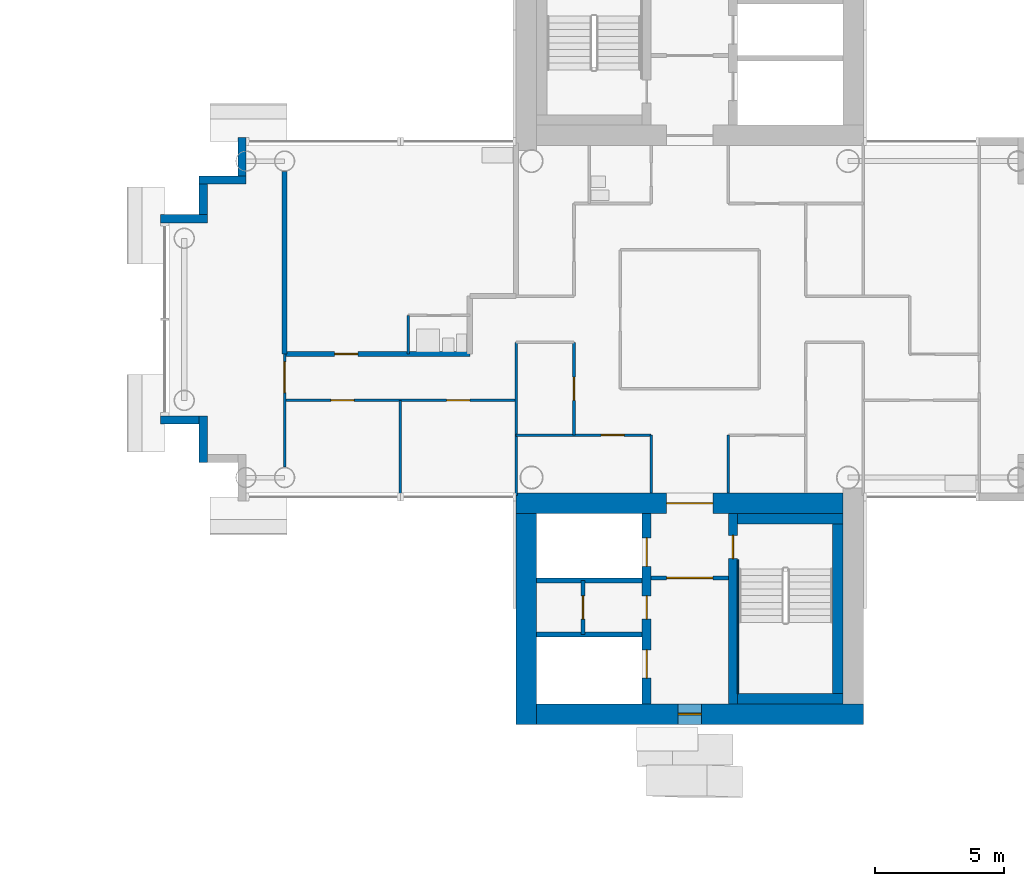
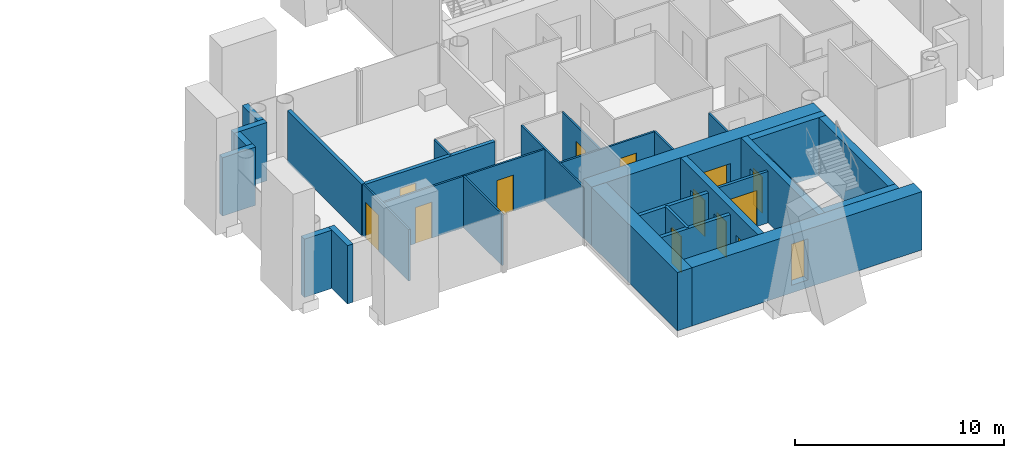
# One storey, part 9 of 18: 30 walls, 13 doors, 1 window, 14 openings.
"""IFC4 building model written with IfcOpenShell, lengths in metres."""

from ifc_helpers import new_model, si_unit, direction, frame, frame_2d, origin, place, context, subcontext, project, spatial, rectangle, extrude, material, layer, layer_set, type_object, element, fill, save


model = new_model("IFC4")

# Units and contexts
model_context = context("Model", 3, precision=1e-05, world=origin(), true_north=direction((0.0, 1.0)))
body_context = subcontext(model_context, "Body", "Model", "MODEL_VIEW")
ifc_project = project(units=[si_unit("LENGTHUNIT", "METRE"), si_unit("AREAUNIT", "SQUARE_METRE"), si_unit("VOLUMEUNIT", "CUBIC_METRE"), si_unit("PLANEANGLEUNIT", "RADIAN"), si_unit("MASSUNIT", "GRAM", prefix="KILO")], contexts=[model_context])

# Site, building, storey
site_placement = place(None, origin())
site = spatial("IfcSite", under=ifc_project, at=site_placement, CompositionType="ELEMENT")
building_placement = place(site_placement, origin())
building = spatial("IfcBuilding", under=site, at=building_placement, Name="Ipe Terrace Towers", CompositionType="ELEMENT")
storey_placement = place(building_placement, frame((0.0, 0.0, 150.699951171875)))
storey = spatial("IfcBuildingStorey", under=building, at=storey_placement, Name="L41", CompositionType="ELEMENT", Elevation=150.699951171875)

# Walls
ifc_material_1 = material(Name="Concrete C40/50 with buff precast cladding", Category="concrete")
ifc_layer_1 = layer(ifc_material_1, 0.320068359375)
ifc_layer_set_1 = layer_set([ifc_layer_1], Name="BUFF CLADDING WALL 320")
wall_type_1 = type_object("IfcWallType", Name="BUFF CLADDING WALL 320", PredefinedType="STANDARD", material=ifc_layer_set_1)
wall_1_placement = place(storey_placement, frame((18.590087890625, 7.070068359375, -0.300048828125), z_axis=(0.0, 0.0, 1.0), x_axis=(0.0, -1.0, 0.0)))
element("IfcWall", 1, at=wall_1_placement, inside=storey, type_object=wall_type_1, Name="T2-W-L41-30a wall", PredefinedType="STANDARD", context=body_context, shape_type="SweptSolid", body=[
    extrude(rectangle(XDim=1.5, YDim=0.320068359375, at=frame_2d((0.75, 0.0))), origin(), (0.0, 0.0, 1.0), 3.400146484375),
])
wall_2_placement = place(storey_placement, frame((18.75, 5.409912109375, -0.300048828125), z_axis=(0.0, 0.0, 1.0), x_axis=(-1.0, 0.0, 0.0)))
element("IfcWall", 2, at=wall_2_placement, inside=storey, type_object=wall_type_1, Name="T2-W-L41-31a wall", PredefinedType="STANDARD", context=body_context, shape_type="SweptSolid", body=[
    extrude(rectangle(XDim=1.820068359375, YDim=0.320068359375, at=frame_2d((0.91015625, 0.0))), origin(), (0.0, 0.0, 1.0), 3.400146484375),
])
wall_3_placement = place(storey_placement, frame((17.090087890625, 5.25, -0.300048828125), z_axis=(0.0, 0.0, 1.0), x_axis=(0.0, -1.0, 0.0)))
element("IfcWall", 3, at=wall_3_placement, inside=storey, type_object=wall_type_1, Name="T2-W-L41-32a wall", PredefinedType="STANDARD", context=body_context, shape_type="SweptSolid", body=[
    extrude(rectangle(XDim=1.179931640625, YDim=0.320068359375, at=frame_2d((0.58984375, 0.0))), origin(), (0.0, 0.0, 1.0), 3.400146484375),
])
wall_4_placement = place(storey_placement, frame((17.25, 3.909912109375, -0.300048828125), z_axis=(0.0, 0.0, 1.0), x_axis=(-1.0, 0.0, 0.0)))
element("IfcWall", 4, at=wall_4_placement, inside=storey, type_object=wall_type_1, Name="T2-W-L41-33a wall", PredefinedType="STANDARD", context=body_context, shape_type="SweptSolid", body=[
    extrude(rectangle(XDim=1.820068359375, YDim=0.320068359375, at=frame_2d((0.91015625, 0.0))), origin(), (0.0, 0.0, 1.0), 3.400146484375),
])
wall_5_placement = place(storey_placement, frame((15.429931640625, -3.909912109375, -0.300048828125), z_axis=(0.0, 0.0, 1.0), x_axis=(1.0, 0.0, 0.0)))
element("IfcWall", 5, at=wall_5_placement, inside=storey, type_object=wall_type_1, Name="T2-W-L41-35a wall", PredefinedType="STANDARD", context=body_context, shape_type="SweptSolid", body=[
    extrude(rectangle(XDim=1.5, YDim=0.320068359375, at=frame_2d((0.75, 0.0))), origin(), (0.0, 0.0, 1.0), 3.400146484375),
])
wall_6_placement = place(storey_placement, frame((17.090087890625, -3.75, -0.300048828125), z_axis=(0.0, 0.0, 1.0), x_axis=(0.0, -1.0, 0.0)))
element("IfcWall", 6, at=wall_6_placement, inside=storey, type_object=wall_type_1, Name="T2-W-L41-36a wall", PredefinedType="STANDARD", context=body_context, shape_type="SweptSolid", body=[
    extrude(rectangle(XDim=1.820068359375, YDim=0.320068359375, at=frame_2d((0.91015625, 0.0))), origin(), (0.0, 0.0, 1.0), 3.400146484375),
])

# Wall, opening, door
ifc_material_2 = material(Name="Gypsum board partition", Category="plasterboard")
ifc_layer_2 = layer(ifc_material_2, 0.10009765625)
ifc_layer_set_2 = layer_set([ifc_layer_2], Name="Gypsum board partition 100 mm")
wall_type_2 = type_object("IfcWallType", Name="Gypsum board partition 100 mm", PredefinedType="PARTITIONING", material=ifc_layer_set_2)
wall_7_placement = place(storey_placement, frame((34.5, -4.5, 0.0), z_axis=(0.0, 0.0, 1.0), x_axis=(-1.0, 0.0, 0.0)))
wall_7 = element("IfcWall", 7, at=wall_7_placement, inside=storey, type_object=wall_type_2, Name="Gypsum board partition T2 L41 W02", PredefinedType="PARTITIONING", context=body_context, shape_type="SweptSolid", body=[
    extrude(rectangle(XDim=5.25, YDim=0.10009765625, at=frame_2d((2.625, 0.0))), origin(), (0.0, 0.0, 1.0), 3.0),
])
opening_1_placement = place(wall_7_placement, frame((1.050048828125, 0.0, 0.0)))
opening_1 = element("IfcOpeningElement", 8, at=opening_1_placement, cuts=wall_7, Name="Opening T2-Z3B-05", PredefinedType="OPENING", context=body_context, shape_type="SweptSolid", body=[
    extrude(rectangle(XDim=0.89990234375, YDim=2.10009765625, at=frame_2d((0.449951171875, 1.050048828125))), frame((0.0, 0.06005859375, 0.0), z_axis=(0.0, -1.0, 0.0), x_axis=(1.0, 0.0, 0.0)), (0.0, 0.0, 1.0), 0.1201171875),
])
ifc_material_3 = material(Name="Timber door leaf", Category="wood")
door_type_1 = type_object("IfcDoorType", Name="Lounge door 900 x 2100", OperationType="NOTDEFINED", PredefinedType="DOOR", material=ifc_material_3)
door_1_placement = place(opening_1_placement, origin())
door_1 = element("IfcDoor", 9, at=door_1_placement, inside=storey, type_object=door_type_1, Name="Lounge door T2-Z3B-05", OperationType="SINGLE_SWING_RIGHT", OverallHeight=2.10009765625, OverallWidth=0.89990234375, PredefinedType="DOOR", context=body_context, shape_type="SweptSolid", body=[
    extrude(rectangle(XDim=0.89990234375, YDim=2.10009765625, at=frame_2d((0.449951171875, 1.050048828125))), frame((0.0, 0.02490234375, 0.0), z_axis=(0.0, -1.0, 0.0), x_axis=(1.0, 0.0, 0.0)), (0.0, 0.0, 1.0), 0.050048828125),
])
fill(opening_1, door_1)

# Wall, openings, doors
wall_8_placement = place(storey_placement, frame((29.25, -3.14990234375, 0.0), z_axis=(0.0, 0.0, 1.0), x_axis=(-1.0, 0.0, 0.0)))
wall_8 = element("IfcWall", 10, at=wall_8_placement, inside=storey, type_object=wall_type_2, Name="Gypsum board partition T2 L41 W04", PredefinedType="PARTITIONING", context=body_context, shape_type="SweptSolid", body=[
    extrude(rectangle(XDim=9.0, YDim=0.10009765625, at=frame_2d((4.5, 0.0))), origin(), (0.0, 0.0, 1.0), 3.0),
])
opening_2_placement = place(wall_8_placement, frame((1.800048828125, 0.0, 0.0)))
opening_2 = element("IfcOpeningElement", 11, at=opening_2_placement, cuts=wall_8, Name="Opening T2-Z3B-10", PredefinedType="OPENING", context=body_context, shape_type="SweptSolid", body=[
    extrude(rectangle(XDim=0.89990234375, YDim=2.10009765625, at=frame_2d((0.449951171875, 1.050048828125))), frame((0.0, 0.06005859375, 0.0), z_axis=(0.0, -1.0, 0.0), x_axis=(1.0, 0.0, 0.0)), (0.0, 0.0, 1.0), 0.1201171875),
])
opening_3_placement = place(wall_8_placement, frame((6.300048828125, 0.0, 0.0)))
opening_3 = element("IfcOpeningElement", 12, at=opening_3_placement, cuts=wall_8, Name="Opening T2-Z3B-11", PredefinedType="OPENING", context=body_context, shape_type="SweptSolid", body=[
    extrude(rectangle(XDim=0.89990234375, YDim=2.10009765625, at=frame_2d((0.449951171875, 1.050048828125))), frame((0.0, 0.06005859375, 0.0), z_axis=(0.0, -1.0, 0.0), x_axis=(1.0, 0.0, 0.0)), (0.0, 0.0, 1.0), 0.1201171875),
])
door_2_placement = place(opening_2_placement, origin())
door_2 = element("IfcDoor", 13, at=door_2_placement, inside=storey, type_object=door_type_1, Name="Lounge door T2-Z3B-10", OperationType="SINGLE_SWING_RIGHT", OverallHeight=2.10009765625, OverallWidth=0.89990234375, PredefinedType="DOOR", context=body_context, shape_type="SweptSolid", body=[
    extrude(rectangle(XDim=0.89990234375, YDim=2.10009765625, at=frame_2d((0.449951171875, 1.050048828125))), frame((0.0, 0.02490234375, 0.0), z_axis=(0.0, -1.0, 0.0), x_axis=(1.0, 0.0, 0.0)), (0.0, 0.0, 1.0), 0.050048828125),
])
fill(opening_2, door_2)
door_3_placement = place(opening_3_placement, origin())
door_3 = element("IfcDoor", 14, at=door_3_placement, inside=storey, type_object=door_type_1, Name="Lounge door T2-Z3B-11", OperationType="SINGLE_SWING_LEFT", OverallHeight=2.10009765625, OverallWidth=0.89990234375, PredefinedType="DOOR", context=body_context, shape_type="SweptSolid", body=[
    extrude(rectangle(XDim=0.89990234375, YDim=2.10009765625, at=frame_2d((0.449951171875, 1.050048828125))), frame((0.0, 0.02490234375, 0.0), z_axis=(0.0, -1.0, 0.0), x_axis=(1.0, 0.0, 0.0)), (0.0, 0.0, 1.0), 0.050048828125),
])
fill(opening_3, door_3)

# Walls
for number, where, z_axis, x_axis, name in (
    (15, (37.5, -6.75, 0.0), (0.0, 0.0, 1.0), (0.0, 1.0, 0.0), "Gypsum board partition T2 L41 W28"),
    (16, (34.5, -6.75, 0.0), (0.0, 0.0, 1.0), (0.0, 1.0, 0.0), "Gypsum board partition T2 L41 W32"),
):
    element("IfcWall", number, at=place(storey_placement, frame(where, z_axis=z_axis, x_axis=x_axis)), inside=storey, type_object=wall_type_2, Name=name, PredefinedType="PARTITIONING", context=body_context, shape_type="SweptSolid", body=[
        extrude(rectangle(XDim=2.25, YDim=0.10009765625, at=frame_2d((1.125, 0.0))), origin(), (0.0, 0.0, 1.0), 3.0),
    ])

# Wall, opening, door
wall_9_placement = place(storey_placement, frame((31.5, -4.5, 0.0), z_axis=(0.0, 0.0, 1.0), x_axis=(0.0, 1.0, 0.0)))
wall_9 = element("IfcWall", 17, at=wall_9_placement, inside=storey, type_object=wall_type_2, Name="Gypsum board partition T2 L41 W39", PredefinedType="PARTITIONING", context=body_context, shape_type="SweptSolid", body=[
    extrude(rectangle(XDim=3.60009765625, YDim=0.10009765625, at=frame_2d((1.800048828125, 0.0))), origin(), (0.0, 0.0, 1.0), 3.0),
])
opening_4_placement = place(wall_9_placement, frame((1.35009765625, 0.0, 0.0)))
opening_4 = element("IfcOpeningElement", 18, at=opening_4_placement, cuts=wall_9, Name="Opening T2-Z3B-04", PredefinedType="OPENING", context=body_context, shape_type="SweptSolid", body=[
    extrude(rectangle(XDim=0.89990234375, YDim=2.10009765625, at=frame_2d((0.449951171875, 1.050048828125))), frame((0.0, 0.06005859375, 0.0), z_axis=(0.0, -1.0, 0.0), x_axis=(1.0, 0.0, 0.0)), (0.0, 0.0, 1.0), 0.1201171875),
])
door_4_placement = place(opening_4_placement, origin())
door_4 = element("IfcDoor", 19, at=door_4_placement, inside=storey, type_object=door_type_1, Name="Lounge door T2-Z3B-04", OperationType="SINGLE_SWING_RIGHT", OverallHeight=2.10009765625, OverallWidth=0.89990234375, PredefinedType="DOOR", context=body_context, shape_type="SweptSolid", body=[
    extrude(rectangle(XDim=0.89990234375, YDim=2.10009765625, at=frame_2d((0.449951171875, 1.050048828125))), frame((0.0, 0.02490234375, 0.0), z_axis=(0.0, -1.0, 0.0), x_axis=(1.0, 0.0, 0.0)), (0.0, 0.0, 1.0), 0.050048828125),
])
fill(opening_4, door_4)

# Walls
wall_10_placement = place(storey_placement, frame((29.25, -6.85009765625, 0.0), z_axis=(0.0, 0.0, 1.0), x_axis=(0.0, 1.0, 0.0)))
element("IfcWall", 20, at=wall_10_placement, inside=storey, type_object=wall_type_2, Name="Gypsum board partition T2 L41 W41", PredefinedType="PARTITIONING", context=body_context, shape_type="SweptSolid", body=[
    extrude(rectangle(XDim=5.9501953125, YDim=0.10009765625, at=frame_2d((2.97509765625, 0.0))), origin(), (0.0, 0.0, 1.0), 3.0),
])
wall_11_placement = place(storey_placement, frame((25.050048828125, -1.35009765625, 0.0), z_axis=(0.0, 0.0, 1.0), x_axis=(0.0, 1.0, 0.0)))
element("IfcWall", 21, at=wall_11_placement, inside=storey, type_object=wall_type_2, Name="Gypsum board partition T2 L41 W44", PredefinedType="PARTITIONING", context=body_context, shape_type="SweptSolid", body=[
    extrude(rectangle(XDim=1.5, YDim=0.10009765625, at=frame_2d((0.75, 0.0))), origin(), (0.0, 0.0, 1.0), 3.0),
])
wall_12_placement = place(storey_placement, frame((24.75, -6.85009765625, 0.0), z_axis=(0.0, 0.0, 1.0), x_axis=(0.0, 1.0, 0.0)))
element("IfcWall", 22, at=wall_12_placement, inside=storey, type_object=wall_type_2, Name="Gypsum board partition T2 L41 W45", PredefinedType="PARTITIONING", context=body_context, shape_type="SweptSolid", body=[
    extrude(rectangle(XDim=3.7001953125, YDim=0.10009765625, at=frame_2d((1.85009765625, 0.0))), origin(), (0.0, 0.0, 1.0), 3.0),
])

# Wall, opening, door
wall_13_placement = place(storey_placement, frame((20.25, -5.75, 0.0), z_axis=(0.0, 0.0, 1.0), x_axis=(0.0, 1.0, 0.0)))
wall_13 = element("IfcWall", 23, at=wall_13_placement, inside=storey, type_object=wall_type_2, Name="Gypsum board partition T2 L41 W46", PredefinedType="PARTITIONING", context=body_context, shape_type="SweptSolid", body=[
    extrude(rectangle(XDim=4.39990234375, YDim=0.10009765625, at=frame_2d((2.199951171875, 0.0))), origin(), (0.0, 0.0, 1.0), 3.0),
])
opening_5_placement = place(wall_13_placement, frame((2.89990234375, 0.0, 0.0)))
opening_5 = element("IfcOpeningElement", 24, at=opening_5_placement, cuts=wall_13, Name="Opening T2-Z3B-14", PredefinedType="OPENING", context=body_context, shape_type="SweptSolid", body=[
    extrude(rectangle(XDim=1.199951171875, YDim=2.10009765625, at=frame_2d((0.60009765625, 1.050048828125))), frame((0.0, 0.06005859375, 0.0), z_axis=(0.0, -1.0, 0.0), x_axis=(1.0, 0.0, 0.0)), (0.0, 0.0, 1.0), 0.1201171875),
])
ifc_material_4 = material(Name="Timber door leaf", Category="wood")
door_type_2 = type_object("IfcDoorType", Name="Lounge door 1200 x 2100", OperationType="NOTDEFINED", PredefinedType="DOOR", material=ifc_material_4)
door_5_placement = place(opening_5_placement, origin())
door_5 = element("IfcDoor", 25, at=door_5_placement, inside=storey, type_object=door_type_2, Name="Lounge door T2-Z3B-14", OperationType="SINGLE_SWING_LEFT", OverallHeight=2.10009765625, OverallWidth=1.199951171875, PredefinedType="DOOR", context=body_context, shape_type="SweptSolid", body=[
    extrude(rectangle(XDim=1.199951171875, YDim=2.10009765625, at=frame_2d((0.60009765625, 1.050048828125))), frame((0.0, 0.02490234375, 0.0), z_axis=(0.0, -1.0, 0.0), x_axis=(1.0, 0.0, 0.0)), (0.0, 0.0, 1.0), 0.050048828125),
])
fill(opening_5, door_5)

ifc_material_5 = material(Name="Gypsum board partition", Category="plasterboard")
ifc_layer_3 = layer(ifc_material_5, 0.14990234375)
ifc_layer_set_3 = layer_set([ifc_layer_3], Name="Gypsum board partition 150 mm")
wall_type_3 = type_object("IfcWallType", Name="Gypsum board partition 150 mm", PredefinedType="PARTITIONING", material=ifc_layer_set_3)
wall_14_placement = place(storey_placement, frame((34.5, -10.050048828125, 0.0), z_axis=(0.0, 0.0, 1.0), x_axis=(1.0, 0.0, 0.0)))
wall_14 = element("IfcWall", 26, at=wall_14_placement, inside=storey, type_object=wall_type_3, Name="Gypsum board partition T2 L41 t2c2-lobby-wall", PredefinedType="PARTITIONING", context=body_context, shape_type="SweptSolid", body=[
    extrude(rectangle(XDim=3.0, YDim=0.14990234375, at=frame_2d((1.5, 0.0))), origin(), (0.0, 0.0, 1.0), 3.0),
])
opening_6_placement = place(wall_14_placement, frame((0.60009765625, 0.0, 0.0)))
opening_6 = element("IfcOpeningElement", 27, at=opening_6_placement, cuts=wall_14, Name="Opening T2C2-VD", PredefinedType="OPENING", context=body_context, shape_type="SweptSolid", body=[
    extrude(rectangle(XDim=1.800048828125, YDim=2.10009765625, at=frame_2d((0.89990234375, 1.050048828125))), frame((0.0, 0.0849609375, 0.0), z_axis=(0.0, -1.0, 0.0), x_axis=(1.0, 0.0, 0.0)), (0.0, 0.0, 1.0), 0.169921875),
])
ifc_material_6 = material(Name="Fire-rated timber door leaf", Category="wood")
door_type_3 = type_object("IfcDoorType", Name="Lobby door 1800 x 2100 FD60", OperationType="NOTDEFINED", PredefinedType="DOOR", material=ifc_material_6)
door_6_placement = place(opening_6_placement, origin())
door_6 = element("IfcDoor", 28, at=door_6_placement, inside=storey, type_object=door_type_3, Name="Lobby door T2C2-VD", OperationType="SINGLE_SWING_LEFT", OverallHeight=2.10009765625, OverallWidth=1.800048828125, PredefinedType="DOOR", context=body_context, shape_type="SweptSolid", body=[
    extrude(rectangle(XDim=1.800048828125, YDim=2.10009765625, at=frame_2d((0.89990234375, 1.050048828125))), frame((0.0, 0.02490234375, 0.0), z_axis=(0.0, -1.0, 0.0), x_axis=(1.0, 0.0, 0.0)), (0.0, 0.0, 1.0), 0.050048828125),
])
fill(opening_6, door_6)

wall_15_placement = place(storey_placement, frame((31.85009765625, -10.14990234375, 0.0), z_axis=(0.0, 0.0, 1.0), x_axis=(0.0, -1.0, 0.0)))
wall_15 = element("IfcWall", 29, at=wall_15_placement, inside=storey, type_object=wall_type_3, Name="Gypsum board partition T2 L41 t2c2-q-back", PredefinedType="PARTITIONING", context=body_context, shape_type="SweptSolid", body=[
    extrude(rectangle(XDim=2.10009765625, YDim=0.14990234375, at=frame_2d((1.050048828125, 0.0))), origin(), (0.0, 0.0, 1.0), 3.0),
])
opening_7_placement = place(wall_15_placement, frame((0.60009765625, 0.0, 0.0)))
opening_7 = element("IfcOpeningElement", 30, at=opening_7_placement, cuts=wall_15, Name="Opening T2C2-RB-FD30S", PredefinedType="OPENING", context=body_context, shape_type="SweptSolid", body=[
    extrude(rectangle(XDim=0.89990234375, YDim=2.10009765625, at=frame_2d((0.449951171875, 1.050048828125))), frame((0.0, 0.0849609375, 0.0), z_axis=(0.0, -1.0, 0.0), x_axis=(1.0, 0.0, 0.0)), (0.0, 0.0, 1.0), 0.169921875),
])
ifc_material_7 = material(Name="Fire-rated timber door leaf", Category="wood")
door_type_4 = type_object("IfcDoorType", Name="Service door 900 x 2100 FD30S", OperationType="NOTDEFINED", PredefinedType="DOOR", material=ifc_material_7)
door_7_placement = place(opening_7_placement, origin())
door_7 = element("IfcDoor", 31, at=door_7_placement, inside=storey, type_object=door_type_4, Name="Service door T2C2-RB-FD30S", OperationType="SINGLE_SWING_LEFT", OverallHeight=2.10009765625, OverallWidth=0.89990234375, PredefinedType="DOOR", context=body_context, shape_type="SweptSolid", body=[
    extrude(rectangle(XDim=0.89990234375, YDim=2.10009765625, at=frame_2d((0.449951171875, 1.050048828125))), frame((0.0, 0.02490234375, 0.0), z_axis=(0.0, -1.0, 0.0), x_axis=(1.0, 0.0, 0.0)), (0.0, 0.0, 1.0), 0.050048828125),
])
fill(opening_7, door_7)

# Walls
ifc_material_8 = material(Name="Gypsum board party wall", Category="plasterboard")
ifc_layer_4 = layer(ifc_material_8, 0.199951171875)
ifc_layer_set_4 = layer_set([ifc_layer_4], Name="Gypsum board party wall 200 mm")
wall_type_4 = type_object("IfcWallType", Name="Gypsum board party wall 200 mm", PredefinedType="SOLIDWALL", material=ifc_layer_set_4)
for number, where, z_axis, x_axis, name in (
    (32, (30.050048828125, -12.25, 0.0), (0.0, 0.0, 1.0), (1.0, 0.0, 0.0), "Gypsum board party wall T2 L41 t2c2-shaft-div2"),
    (33, (30.050048828125, -10.14990234375, 0.0), (0.0, 0.0, 1.0), (1.0, 0.0, 0.0), "Gypsum board party wall T2 L41 t2c2-shaft-div1"),
):
    element("IfcWall", number, at=place(storey_placement, frame(where, z_axis=z_axis, x_axis=x_axis)), inside=storey, type_object=wall_type_4, Name=name, PredefinedType="SOLIDWALL", context=body_context, shape_type="SweptSolid", body=[
        extrude(rectangle(XDim=4.099853515625, YDim=0.199951171875, at=frame_2d((2.0498046875, 0.0))), origin(), (0.0, 0.0, 1.0), 3.0),
    ])

# Wall, opening, door
wall_16_placement = place(storey_placement, frame((27.449951171875, -1.35009765625, 0.0), z_axis=(0.0, 0.0, 1.0), x_axis=(-1.0, 0.0, 0.0)))
wall_16 = element("IfcWall", 34, at=wall_16_placement, inside=storey, type_object=wall_type_4, Name="Gypsum board party wall T2 L41 W07", PredefinedType="SOLIDWALL", context=body_context, shape_type="SweptSolid", body=[
    extrude(rectangle(XDim=7.199951171875, YDim=0.199951171875, at=frame_2d((3.60009765625, 0.0))), origin(), (0.0, 0.0, 1.0), 3.0),
])
opening_8_placement = place(wall_16_placement, frame((4.35009765625, 0.0, 0.0)))
opening_8 = element("IfcOpeningElement", 35, at=opening_8_placement, cuts=wall_16, Name="Opening T2-Z3B-12", PredefinedType="OPENING", context=body_context, shape_type="SweptSolid", body=[
    extrude(rectangle(XDim=0.89990234375, YDim=2.10009765625, at=frame_2d((0.449951171875, 1.050048828125))), frame((0.0, 0.10986328125, 0.0), z_axis=(0.0, -1.0, 0.0), x_axis=(1.0, 0.0, 0.0)), (0.0, 0.0, 1.0), 0.219970703125),
])
ifc_material_9 = material(Name="Fire-rated timber door leaf", Category="wood")
door_type_5 = type_object("IfcDoorType", Name="Flat entrance door 900 x 2100 FD30S", OperationType="NOTDEFINED", PredefinedType="DOOR", material=ifc_material_9)
door_8_placement = place(opening_8_placement, origin())
door_8 = element("IfcDoor", 36, at=door_8_placement, inside=storey, type_object=door_type_5, Name="Flat entrance door T2-Z3B-12", OperationType="SINGLE_SWING_RIGHT", OverallHeight=2.10009765625, OverallWidth=0.89990234375, PredefinedType="DOOR", context=body_context, shape_type="SweptSolid", body=[
    extrude(rectangle(XDim=0.89990234375, YDim=2.10009765625, at=frame_2d((0.449951171875, 1.050048828125))), frame((0.0, 0.02490234375, 0.0), z_axis=(0.0, -1.0, 0.0), x_axis=(1.0, 0.0, 0.0)), (0.0, 0.0, 1.0), 0.050048828125),
])
fill(opening_8, door_8)

# Wall
wall_17_placement = place(storey_placement, frame((20.25, -1.35009765625, 0.0), z_axis=(0.0, 0.0, 1.0), x_axis=(0.0, 1.0, 0.0)))
element("IfcWall", 37, at=wall_17_placement, inside=storey, type_object=wall_type_4, Name="Gypsum board party wall T2 L41 W47", PredefinedType="SOLIDWALL", context=body_context, shape_type="SweptSolid", body=[
    extrude(rectangle(XDim=7.10009765625, YDim=0.199951171875, at=frame_2d((3.550048828125, 0.0))), origin(), (0.0, 0.0, 1.0), 3.0),
])

# Wall, openings, doors
ifc_material_10 = material(Name="Concrete C50/60", Category="concrete")
ifc_layer_5 = layer(ifc_material_10, 0.35009765625)
ifc_layer_set_5 = layer_set([ifc_layer_5], Name="RW350 CORE SPINE WALL 350 C50-60")
wall_type_5 = type_object("IfcWallType", Name="RW350 CORE SPINE WALL 350 C50-60", PredefinedType="SHEAR", material=ifc_layer_set_5)
wall_18_placement = place(storey_placement, frame((34.324951171875, -14.949951171875, 0.0), z_axis=(0.0, 0.0, 1.0), x_axis=(0.0, 1.0, 0.0)))
wall_18 = element("IfcWall", 38, at=wall_18_placement, inside=storey, type_object=wall_type_5, Name="Core spine wall T2-C2-Z3-SW1", PredefinedType="SHEAR", context=body_context, shape_type="SweptSolid", body=[
    extrude(rectangle(XDim=7.39990234375, YDim=0.35009765625, at=frame_2d((3.699951171875, 0.0))), origin(), (0.0, 0.0, 1.0), 3.400146484375),
])
opening_9_placement = place(wall_18_placement, frame((5.35009765625, 0.0, 0.0)))
opening_9 = element("IfcOpeningElement", 39, at=opening_9_placement, cuts=wall_18, Name="Opening T2C2-LD1", PredefinedType="OPENING", context=body_context, shape_type="SweptSolid", body=[
    extrude(rectangle(XDim=1.10009765625, YDim=2.10009765625, at=frame_2d((0.550048828125, 1.050048828125))), frame((0.0, 0.18505859375, 0.0), z_axis=(0.0, -1.0, 0.0), x_axis=(1.0, 0.0, 0.0)), (0.0, 0.0, 1.0), 0.3701171875),
])
opening_10_placement = place(wall_18_placement, frame((1.0, 0.0, 0.0)))
opening_10 = element("IfcOpeningElement", 40, at=opening_10_placement, cuts=wall_18, Name="Opening T2C2-LD3", PredefinedType="OPENING", context=body_context, shape_type="SweptSolid", body=[
    extrude(rectangle(XDim=1.10009765625, YDim=2.10009765625, at=frame_2d((0.550048828125, 1.050048828125))), frame((0.0, 0.18505859375, 0.0), z_axis=(0.0, -1.0, 0.0), x_axis=(1.0, 0.0, 0.0)), (0.0, 0.0, 1.0), 0.3701171875),
])
opening_11_placement = place(wall_18_placement, frame((3.300048828125, 0.0, 0.0)))
opening_11 = element("IfcOpeningElement", 41, at=opening_11_placement, cuts=wall_18, Name="Opening T2C2-R1", PredefinedType="OPENING", context=body_context, shape_type="SweptSolid", body=[
    extrude(rectangle(XDim=0.89990234375, YDim=2.10009765625, at=frame_2d((0.449951171875, 1.050048828125))), frame((0.0, 0.18505859375, 0.0), z_axis=(0.0, -1.0, 0.0), x_axis=(1.0, 0.0, 0.0)), (0.0, 0.0, 1.0), 0.3701171875),
])
ifc_material_11 = material(Name="Fire-rated timber door leaf", Category="wood")
door_type_6 = type_object("IfcDoorType", Name="Sliding door 1100 x 2100 FD60", OperationType="SLIDING_TO_LEFT", PredefinedType="DOOR", material=ifc_material_11)
door_9_placement = place(opening_9_placement, origin())
door_9 = element("IfcDoor", 42, at=door_9_placement, inside=storey, type_object=door_type_6, Name="Sliding door T2C2-LD1", OperationType="SLIDING_TO_LEFT", OverallHeight=2.10009765625, OverallWidth=1.10009765625, PredefinedType="DOOR", context=body_context, shape_type="SweptSolid", body=[
    extrude(rectangle(XDim=1.10009765625, YDim=2.10009765625, at=frame_2d((0.550048828125, 1.050048828125))), frame((0.0, 0.02490234375, 0.0), z_axis=(0.0, -1.0, 0.0), x_axis=(1.0, 0.0, 0.0)), (0.0, 0.0, 1.0), 0.050048828125),
])
fill(opening_9, door_9)
door_10_placement = place(opening_10_placement, origin())
door_10 = element("IfcDoor", 43, at=door_10_placement, inside=storey, type_object=door_type_6, Name="Sliding door T2C2-LD3", OperationType="SLIDING_TO_LEFT", OverallHeight=2.10009765625, OverallWidth=1.10009765625, PredefinedType="DOOR", context=body_context, shape_type="SweptSolid", body=[
    extrude(rectangle(XDim=1.10009765625, YDim=2.10009765625, at=frame_2d((0.550048828125, 1.050048828125))), frame((0.0, 0.02490234375, 0.0), z_axis=(0.0, -1.0, 0.0), x_axis=(1.0, 0.0, 0.0)), (0.0, 0.0, 1.0), 0.050048828125),
])
fill(opening_10, door_10)
ifc_material_12 = material(Name="Timber door leaf", Category="wood")
door_type_7 = type_object("IfcDoorType", Name="Store door 900 x 2100", OperationType="NOTDEFINED", PredefinedType="DOOR", material=ifc_material_12)
door_11_placement = place(opening_11_placement, origin())
door_11 = element("IfcDoor", 44, at=door_11_placement, inside=storey, type_object=door_type_7, Name="Store door T2C2-R1", OperationType="SINGLE_SWING_LEFT", OverallHeight=2.10009765625, OverallWidth=0.89990234375, PredefinedType="DOOR", context=body_context, shape_type="SweptSolid", body=[
    extrude(rectangle(XDim=0.89990234375, YDim=2.10009765625, at=frame_2d((0.449951171875, 1.050048828125))), frame((0.0, 0.02490234375, 0.0), z_axis=(0.0, -1.0, 0.0), x_axis=(1.0, 0.0, 0.0)), (0.0, 0.0, 1.0), 0.050048828125),
])
fill(opening_11, door_11)

# Wall, opening, door
wall_19_placement = place(storey_placement, frame((37.675048828125, -14.949951171875, 0.0), z_axis=(0.0, 0.0, 1.0), x_axis=(0.0, 1.0, 0.0)))
wall_19 = element("IfcWall", 45, at=wall_19_placement, inside=storey, type_object=wall_type_5, Name="Core spine wall T2-C2-Z3-SW2", PredefinedType="SHEAR", context=body_context, shape_type="SweptSolid", body=[
    extrude(rectangle(XDim=7.39990234375, YDim=0.35009765625, at=frame_2d((3.699951171875, 0.0))), origin(), (0.0, 0.0, 1.0), 3.400146484375),
])
opening_12_placement = place(wall_19_placement, frame((5.64990234375, 0.0, 0.0)))
opening_12 = element("IfcOpeningElement", 46, at=opening_12_placement, cuts=wall_19, Name="Opening T2C2-SD", PredefinedType="OPENING", context=body_context, shape_type="SweptSolid", body=[
    extrude(rectangle(XDim=0.89990234375, YDim=2.10009765625, at=frame_2d((0.449951171875, 1.050048828125))), frame((0.0, 0.18505859375, 0.0), z_axis=(0.0, -1.0, 0.0), x_axis=(1.0, 0.0, 0.0)), (0.0, 0.0, 1.0), 0.3701171875),
])
ifc_material_13 = material(Name="Fire-rated timber door leaf", Category="wood")
door_type_8 = type_object("IfcDoorType", Name="Stair door 900 x 2100 FD60", OperationType="NOTDEFINED", PredefinedType="DOOR", material=ifc_material_13)
door_12_placement = place(opening_12_placement, origin())
door_12 = element("IfcDoor", 47, at=door_12_placement, inside=storey, type_object=door_type_8, Name="Stair door T2C2-SD", OperationType="SINGLE_SWING_RIGHT", OverallHeight=2.10009765625, OverallWidth=0.89990234375, PredefinedType="DOOR", context=body_context, shape_type="SweptSolid", body=[
    extrude(rectangle(XDim=0.89990234375, YDim=2.10009765625, at=frame_2d((0.449951171875, 1.050048828125))), frame((0.0, 0.02490234375, 0.0), z_axis=(0.0, -1.0, 0.0), x_axis=(1.0, 0.0, 0.0)), (0.0, 0.0, 1.0), 0.050048828125),
])
fill(opening_12, door_12)

# Walls
ifc_material_14 = material(Name="Concrete C50/60", Category="concrete")
ifc_layer_6 = layer(ifc_material_14, 0.39990234375)
ifc_layer_set_6 = layer_set([ifc_layer_6], Name="RW400 CORE INFILL WALL 400 C50-60")
wall_type_6 = type_object("IfcWallType", Name="RW400 CORE INFILL WALL 400 C50-60", PredefinedType="SHEAR", material=ifc_layer_set_6)
wall_20_placement = place(storey_placement, frame((37.85009765625, -14.75, 0.0), z_axis=(0.0, 0.0, 1.0), x_axis=(1.0, 0.0, 0.0)))
element("IfcWall", 48, at=wall_20_placement, inside=storey, type_object=wall_type_6, Name="Core infill wall T2-C2-far", PredefinedType="SHEAR", context=body_context, shape_type="SweptSolid", body=[
    extrude(rectangle(XDim=4.099853515625, YDim=0.39990234375, at=frame_2d((2.0498046875, 0.0))), origin(), (0.0, 0.0, 1.0), 3.400146484375),
])
wall_21_placement = place(storey_placement, frame((41.75, -7.949951171875, 0.0), z_axis=(0.0, 0.0, 1.0), x_axis=(0.0, -1.0, 0.0)))
element("IfcWall", 49, at=wall_21_placement, inside=storey, type_object=wall_type_6, Name="Core infill wall T2-C2-back", PredefinedType="SHEAR", context=body_context, shape_type="SweptSolid", body=[
    extrude(rectangle(XDim=6.60009765625, YDim=0.39990234375, at=frame_2d((3.300048828125, 0.0))), origin(), (0.0, 0.0, 1.0), 3.400146484375),
])
wall_22_placement = place(storey_placement, frame((37.85009765625, -7.75, 0.0), z_axis=(0.0, 0.0, 1.0), x_axis=(1.0, 0.0, 0.0)))
element("IfcWall", 50, at=wall_22_placement, inside=storey, type_object=wall_type_6, Name="Core infill wall T2-C2-near", PredefinedType="SHEAR", context=body_context, shape_type="SweptSolid", body=[
    extrude(rectangle(XDim=4.099853515625, YDim=0.39990234375, at=frame_2d((2.0498046875, 0.0))), origin(), (0.0, 0.0, 1.0), 3.400146484375),
])
ifc_material_15 = material(Name="Concrete C50/60", Category="concrete")
ifc_layer_7 = layer(ifc_material_15, 0.050048828125)
ifc_layer_set_7 = layer_set([ifc_layer_7], Name="RW50 CORE INFILL WALL 50 C50-60")
wall_type_7 = type_object("IfcWallType", Name="RW50 CORE INFILL WALL 50 C50-60", PredefinedType="SHEAR", material=ifc_layer_set_7)
wall_23_placement = place(storey_placement, frame((37.875, -9.35009765625, 0.0), z_axis=(0.0, 0.0, 1.0), x_axis=(0.0, -1.0, 0.0)))
element("IfcWall", 51, at=wall_23_placement, inside=storey, type_object=wall_type_7, Name="Core infill wall T2-C2-spine-b", PredefinedType="SHEAR", context=body_context, shape_type="SweptSolid", body=[
    extrude(rectangle(XDim=5.199951171875, YDim=0.050048828125, at=frame_2d((2.60009765625, 0.0))), origin(), (0.0, 0.0, 1.0), 3.400146484375),
])

# Wall, opening, window
ifc_material_16 = material(Name="Concrete C50/60", Category="concrete")
ifc_layer_8 = layer(ifc_material_16, 0.800048828125)
ifc_layer_set_8 = layer_set([ifc_layer_8], Name="RW800 CORE WALL 800 C50-60")
wall_type_8 = type_object("IfcWallType", Name="RW800 CORE WALL 800 C50-60", PredefinedType="SHEAR", material=ifc_layer_set_8)
wall_24_placement = place(storey_placement, frame((30.050048828125, -15.35009765625, 0.0), z_axis=(0.0, 0.0, 1.0), x_axis=(1.0, 0.0, 0.0)))
wall_24 = element("IfcWall", 52, at=wall_24_placement, inside=storey, type_object=wall_type_8, Name="Core wall T2-C2-Z3-W01", PredefinedType="SHEAR", context=body_context, shape_type="SweptSolid", body=[
    extrude(rectangle(XDim=12.699951171875, YDim=0.800048828125, at=frame_2d((6.35009765625, 0.0))), origin(), (0.0, 0.0, 1.0), 3.400146484375),
])
opening_13_placement = place(wall_24_placement, frame((5.5, 0.0, 0.449951171875)))
opening_13 = element("IfcOpeningElement", 53, at=opening_13_placement, cuts=wall_24, Name="Opening T2-C2-W-01-L41", PredefinedType="OPENING", context=body_context, shape_type="SweptSolid", body=[
    extrude(rectangle(XDim=0.89990234375, YDim=2.39990234375, at=frame_2d((0.449951171875, 1.199951171875))), frame((0.0, 0.41015625, 0.0), z_axis=(0.0, -1.0, 0.0), x_axis=(1.0, 0.0, 0.0)), (0.0, 0.0, 1.0), 0.820068359375),
])
ifc_material_17 = material(Name="Fire-resistant glazing EI 60", Category="glass")
window_type = type_object("IfcWindowType", Name="CORRIDOR END SLOT WINDOW 900 x 2400 EI 60", PartitioningType="SINGLE_PANEL", PredefinedType="WINDOW", material=ifc_material_17)
window_placement = place(opening_13_placement, origin())
window = element("IfcWindow", 54, at=window_placement, inside=storey, type_object=window_type, Name="W-01 window", OverallHeight=2.39990234375, OverallWidth=0.89990234375, PartitioningType="SINGLE_PANEL", PredefinedType="WINDOW", context=body_context, shape_type="SweptSolid", body=[
    extrude(rectangle(XDim=0.89990234375, YDim=2.39990234375, at=frame_2d((0.449951171875, 1.199951171875))), frame((0.0, 0.030029296875, 0.0), z_axis=(0.0, -1.0, 0.0), x_axis=(1.0, 0.0, 0.0)), (0.0, 0.0, 1.0), 0.06005859375),
])
fill(opening_13, window)

# Wall, opening, door
wall_25_placement = place(storey_placement, frame((41.949951171875, -7.14990234375, 0.0), z_axis=(0.0, 0.0, 1.0), x_axis=(-1.0, 0.0, 0.0)))
wall_25 = element("IfcWall", 55, at=wall_25_placement, inside=storey, type_object=wall_type_8, Name="Core wall T2-C2-Z3-W03", PredefinedType="SHEAR", context=body_context, shape_type="SweptSolid", body=[
    extrude(rectangle(XDim=12.699951171875, YDim=0.800048828125, at=frame_2d((6.35009765625, 0.0))), origin(), (0.0, 0.0, 1.0), 3.400146484375),
])
opening_14_placement = place(wall_25_placement, frame((5.050048828125, 0.0, 0.0)))
opening_14 = element("IfcOpeningElement", 56, at=opening_14_placement, cuts=wall_25, Name="Opening T2C2-ND", PredefinedType="OPENING", context=body_context, shape_type="SweptSolid", body=[
    extrude(rectangle(XDim=1.800048828125, YDim=2.10009765625, at=frame_2d((0.89990234375, 1.050048828125))), frame((0.0, 0.41015625, 0.0), z_axis=(0.0, -1.0, 0.0), x_axis=(1.0, 0.0, 0.0)), (0.0, 0.0, 1.0), 0.820068359375),
])
ifc_material_18 = material(Name="Fire-rated timber door leaf", Category="wood")
door_type_9 = type_object("IfcDoorType", Name="Fire door 1800 x 2100 FD30S", OperationType="NOTDEFINED", PredefinedType="DOOR", material=ifc_material_18)
door_13_placement = place(opening_14_placement, origin())
door_13 = element("IfcDoor", 57, at=door_13_placement, inside=storey, type_object=door_type_9, Name="Fire door T2C2-ND", OperationType="SINGLE_SWING_LEFT", OverallHeight=2.10009765625, OverallWidth=1.800048828125, PredefinedType="DOOR", context=body_context, shape_type="SweptSolid", body=[
    extrude(rectangle(XDim=1.800048828125, YDim=2.10009765625, at=frame_2d((0.89990234375, 1.050048828125))), frame((0.0, 0.02490234375, 0.0), z_axis=(0.0, -1.0, 0.0), x_axis=(1.0, 0.0, 0.0)), (0.0, 0.0, 1.0), 0.050048828125),
])
fill(opening_14, door_13)

# Wall
wall_26_placement = place(storey_placement, frame((29.64990234375, -7.550048828125, 0.0), z_axis=(0.0, 0.0, 1.0), x_axis=(0.0, -1.0, 0.0)))
element("IfcWall", 58, at=wall_26_placement, inside=storey, type_object=wall_type_8, Name="Core wall T2-C2-Z3-W04", PredefinedType="SHEAR", context=body_context, shape_type="SweptSolid", body=[
    extrude(rectangle(XDim=8.199951171875, YDim=0.800048828125, at=frame_2d((4.10009765625, 0.0))), origin(), (0.0, 0.0, 1.0), 3.400146484375),
])

save(model, "model.ifc")
